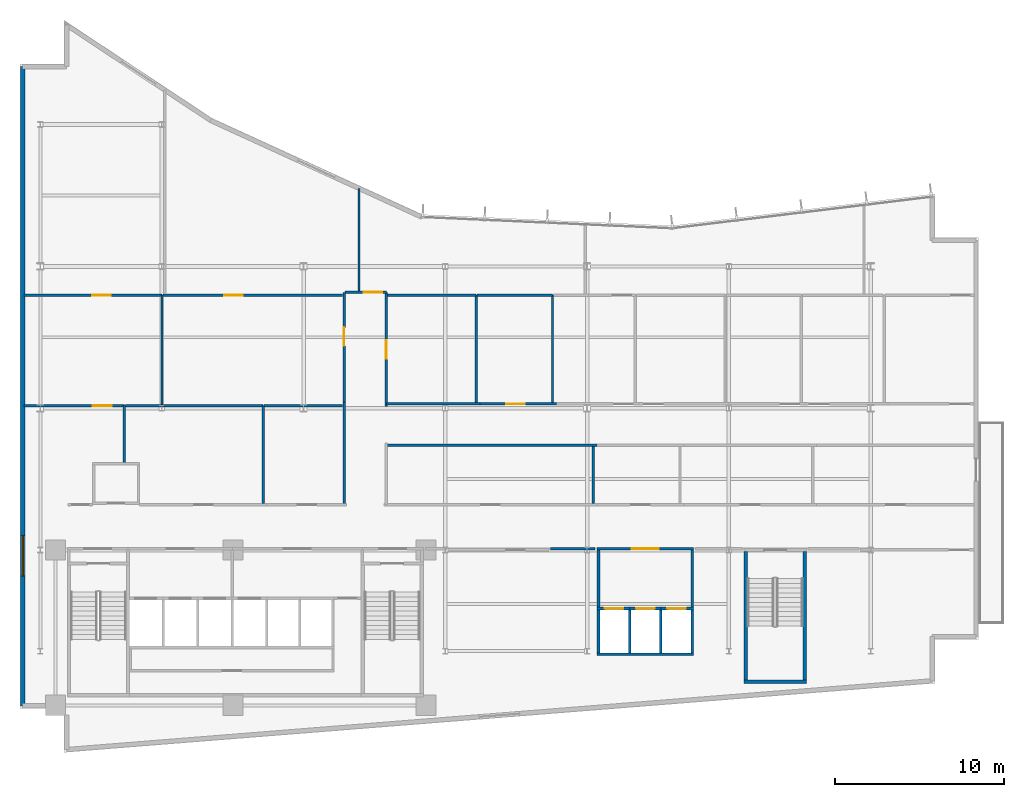
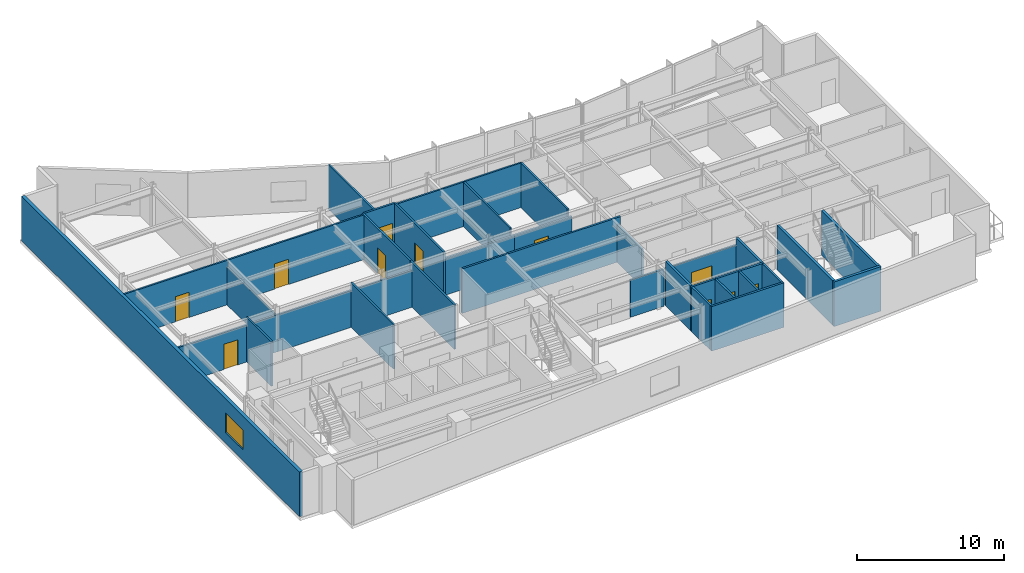
# One storey, part 10 of 17: 38 walls, 11 doors, 1 window, 12 openings.
"""IFC4 building model written with IfcOpenShell, lengths in metres."""

from ifc_helpers import new_model, si_unit, direction, frame, frame_2d, origin, place, context, subcontext, project, spatial, rectangle, extrude, material, layer, layer_set, type_object, element, fill, save


model = new_model("IFC4")

# Units and contexts
model_context = context("Model", 3, precision=1e-05, world=origin(), true_north=direction((0.0, 1.0)))
body_context = subcontext(model_context, "Body", "Model", "MODEL_VIEW")
ifc_project = project(units=[si_unit("LENGTHUNIT", "METRE"), si_unit("AREAUNIT", "SQUARE_METRE"), si_unit("VOLUMEUNIT", "CUBIC_METRE"), si_unit("PLANEANGLEUNIT", "RADIAN"), si_unit("MASSUNIT", "GRAM", prefix="KILO")], contexts=[model_context])

# Site, building, storey
site_placement = place(None, origin())
site = spatial("IfcSite", under=ifc_project, at=site_placement, CompositionType="ELEMENT")
building_placement = place(site_placement, origin())
building = spatial("IfcBuilding", under=site, at=building_placement, Name="Varnakote Quay Hospital", CompositionType="ELEMENT")
storey_placement = place(building_placement, frame((0.0, 0.0, 131.0)))
storey = spatial("IfcBuildingStorey", under=building, at=storey_placement, Name="L32", CompositionType="ELEMENT", Elevation=131.0)

# Walls
ifc_material_1 = material(Name="Fire-rated acoustic gypsum stud wall", Category="gypsum")
ifc_layer_1 = layer(ifc_material_1, 0.159912109375)
ifc_layer_set_1 = layer_set([ifc_layer_1], Name="Fire-rated acoustic gypsum stud wall")
wall_type_1 = type_object("IfcWallType", Name="WL-COMP-160", PredefinedType="PARTITIONING", material=ifc_layer_set_1)
for number, where, z_axis, x_axis, name in (
    (1, (34.27001953125, 8.610107421875, 0.0), (0.0, 0.0, 1.0), (0.0, 1.0, 0.0), "L32 Mid-Rise Lift Lobby West Wall"),
    (2, (39.830078125, 8.610107421875, 0.0), (0.0, 0.0, 1.0), (0.0, 1.0, 0.0), "L32 Mid-Rise Lift Lobby East Wall"),
):
    element("IfcWall", number, at=place(storey_placement, frame(where, z_axis=z_axis, x_axis=x_axis)), inside=storey, type_object=wall_type_1, Name=name, PredefinedType="PARTITIONING", context=body_context, shape_type="SweptSolid", body=[
        extrude(rectangle(XDim=3.389892578125, YDim=0.159912109375, at=frame_2d((1.69482421875, 0.0))), origin(), (0.0, 0.0, 1.0), 3.7099609375),
    ])

# Wall, opening, door
wall_1_placement = place(storey_placement, frame((34.18994140625, 12.080078125, 0.0), z_axis=(0.0, 0.0, 1.0), x_axis=(1.0, 0.0, 0.0)))
wall_1 = element("IfcWall", 3, at=wall_1_placement, inside=storey, type_object=wall_type_1, Name="L32 Mid-Rise Lift Lobby North Wall", PredefinedType="PARTITIONING", context=body_context, shape_type="SweptSolid", body=[
    extrude(rectangle(XDim=5.719970703125, YDim=0.159912109375, at=frame_2d((2.85986328125, 0.0))), origin(), (0.0, 0.0, 1.0), 3.0830078125),
])
opening_1_placement = place(wall_1_placement, frame((2.06005859375, 0.0, 0.0)))
opening_1 = element("IfcOpeningElement", 4, at=opening_1_placement, cuts=wall_1, Name="Opening D-PML-L32", PredefinedType="OPENING", context=body_context, shape_type="SweptSolid", body=[
    extrude(rectangle(XDim=1.60009765625, YDim=2.050048828125, at=frame_2d((0.800048828125, 1.02490234375))), frame((0.0, 0.08984375, 0.0), z_axis=(0.0, -1.0, 0.0), x_axis=(1.0, 0.0, 0.0)), (0.0, 0.0, 1.0), 0.179931640625),
])
ifc_material_2 = material(Name="Fire-rated double smoke lobby door")
door_type_1 = type_object("IfcDoorType", Name="DR-LOBBY-FD60S-1600x2150", OperationType="NOTDEFINED", PredefinedType="DOOR", material=ifc_material_2)
door_1_placement = place(opening_1_placement, origin())
door_1 = element("IfcDoor", 5, at=door_1_placement, inside=storey, type_object=door_type_1, Name="L32 Mid-Rise Passenger Concourse Vestibule Door", OperationType="DOUBLE_DOOR_SINGLE_SWING", OverallHeight=2.050048828125, OverallWidth=1.60009765625, PredefinedType="DOOR", context=body_context, shape_type="SweptSolid", body=[
    extrude(rectangle(XDim=1.60009765625, YDim=2.050048828125, at=frame_2d((0.800048828125, 1.02490234375))), frame((0.0, 0.02490234375, 0.0), z_axis=(0.0, -1.0, 0.0), x_axis=(1.0, 0.0, 0.0)), (0.0, 0.0, 1.0), 0.050048828125),
])
fill(opening_1, door_1)

# Wall
wall_2_placement = place(storey_placement, frame((31.439208984375, 12.080078125, 0.0), z_axis=(0.0, 0.0, 1.0), x_axis=(1.0, 0.0, 0.0)))
element("IfcWall", 6, at=wall_2_placement, inside=storey, type_object=wall_type_1, Name="L32 Corridor South Gap Wall", PredefinedType="PARTITIONING", context=body_context, shape_type="SweptSolid", body=[
    extrude(rectangle(XDim=2.630859375, YDim=0.159912109375, at=frame_2d((1.3154296875, 0.0))), origin(), (0.0, 0.0, 1.0), 3.0830078125),
])

# Wall, opening, window
ifc_material_3 = material(Name="Precast concrete N50 (f'c 50 MPa)", Category="concrete")
ifc_layer_2 = layer(ifc_material_3, 0.260009765625)
ifc_layer_set_2 = layer_set([ifc_layer_2], Name="Precast concrete N50 (f'c 50 MPa)")
wall_type_2 = type_object("IfcWallType", Name="WL-EXT-BRICK-260", PredefinedType="STANDARD", material=ifc_layer_set_2)
wall_3_placement = place(storey_placement, frame((0.159912109375, 40.639892578125, 0.0), z_axis=(0.0, 0.0, 1.0), x_axis=(0.0, -1.0, 0.0)))
wall_3 = element("IfcWall", 7, at=wall_3_placement, inside=storey, type_object=wall_type_2, Name="L32 Brick-Faced Precast Exterior Wall", PredefinedType="STANDARD", context=body_context, shape_type="SweptSolid", body=[
    extrude(rectangle(XDim=37.8798828125, YDim=0.260009765625, at=frame_2d((18.93994140625, 0.0))), origin(), (0.0, 0.0, 1.0), 3.7099609375),
])
opening_2_placement = place(wall_3_placement, frame((27.794921875, 0.0, 0.89990234375)))
opening_2 = element("IfcOpeningElement", 8, at=opening_2_placement, cuts=wall_3, Name="Opening WN-0141", PredefinedType="OPENING", context=body_context, shape_type="SweptSolid", body=[
    extrude(rectangle(XDim=2.39990234375, YDim=1.64990234375, at=frame_2d((1.199951171875, 0.824951171875))), frame((0.0, 0.139892578125, 0.0), z_axis=(0.0, -1.0, 0.0), x_axis=(1.0, 0.0, 0.0)), (0.0, 0.0, 1.0), 0.280029296875),
])
ifc_material_4 = material(Name="Double-glazed low-E solar glass", Category="glass")
window_type = type_object("IfcWindowType", Name="WIN-CLIN-2400x1650", PartitioningType="SINGLE_PANEL", PredefinedType="WINDOW", material=ifc_material_4)
window_placement = place(opening_2_placement, origin())
window = element("IfcWindow", 9, at=window_placement, inside=storey, type_object=window_type, Name="L32 Solar-Control Clinical Window", OverallHeight=1.64990234375, OverallWidth=2.39990234375, PartitioningType="SINGLE_PANEL", PredefinedType="WINDOW", context=body_context, shape_type="SweptSolid", body=[
    extrude(rectangle(XDim=2.39990234375, YDim=1.64990234375, at=frame_2d((1.199951171875, 0.824951171875))), frame((0.0, 0.030029296875, 0.0), z_axis=(0.0, -1.0, 0.0), x_axis=(1.0, 0.0, 0.0)), (0.0, 0.0, 1.0), 0.06005859375),
])
fill(opening_2, window)

# Walls
ifc_material_5 = material(Name="Concrete N50 (f'c 50 MPa)", Category="concrete")
ifc_layer_3 = layer(ifc_material_5, 0.14990234375)
ifc_layer_set_3 = layer_set([ifc_layer_3], Name="Concrete N50 (f'c 50 MPa)")
wall_type_3 = type_object("IfcWallType", Name="WL-SHAFT-N50-150", PredefinedType="SHEAR", material=ifc_layer_set_3)
for number, where, z_axis, x_axis, name in (
    (10, (36.125, 5.89990234375, 0.0), (0.0, 0.0, 1.0), (0.0, 1.0, 0.0), "L32 LF-PM1 Hoistway Divider Wall"),
    (11, (37.97509765625, 5.89990234375, 0.0), (0.0, 0.0, 1.0), (0.0, 1.0, 0.0), "L32 LF-PM2 Hoistway Divider Wall"),
):
    element("IfcWall", number, at=place(storey_placement, frame(where, z_axis=z_axis, x_axis=x_axis)), inside=storey, type_object=wall_type_3, Name=name, PredefinedType="SHEAR", context=body_context, shape_type="SweptSolid", body=[
        extrude(rectangle(XDim=2.550048828125, YDim=0.14990234375, at=frame_2d((1.27490234375, 0.0))), origin(), (0.0, 0.0, 1.0), 3.7099609375),
    ])
ifc_material_6 = material(Name="Concrete N50 (f'c 50 MPa)", Category="concrete")
ifc_layer_4 = layer(ifc_material_6, 0.159912109375)
ifc_layer_set_4 = layer_set([ifc_layer_4], Name="Concrete N50 (f'c 50 MPa)")
wall_type_4 = type_object("IfcWallType", Name="WL-SHAFT-N50-160", PredefinedType="SHEAR", material=ifc_layer_set_4)
wall_4_placement = place(storey_placement, frame((34.18994140625, 5.820068359375, 0.0), z_axis=(0.0, 0.0, 1.0), x_axis=(1.0, 0.0, 0.0)))
element("IfcWall", 12, at=wall_4_placement, inside=storey, type_object=wall_type_4, Name="L32 MID Lift Bank Back Shear Wall", PredefinedType="SHEAR", context=body_context, shape_type="SweptSolid", body=[
    extrude(rectangle(XDim=5.719970703125, YDim=0.159912109375, at=frame_2d((2.85986328125, 0.0))), origin(), (0.0, 0.0, 1.0), 3.7099609375),
])
for number, where, z_axis, x_axis, name in (
    (13, (34.27001953125, 5.89990234375, 0.0), (0.0, 0.0, 1.0), (0.0, 1.0, 0.0), "L32 MID Lift Bank West Shear Wall"),
    (14, (39.830078125, 5.89990234375, 0.0), (0.0, 0.0, 1.0), (0.0, 1.0, 0.0), "L32 MID Lift Bank East Shear Wall"),
):
    element("IfcWall", number, at=place(storey_placement, frame(where, z_axis=z_axis, x_axis=x_axis)), inside=storey, type_object=wall_type_4, Name=name, PredefinedType="SHEAR", context=body_context, shape_type="SweptSolid", body=[
        extrude(rectangle(XDim=2.550048828125, YDim=0.159912109375, at=frame_2d((1.27490234375, 0.0))), origin(), (0.0, 0.0, 1.0), 3.7099609375),
    ])

# Wall, opening, door
wall_5_placement = place(storey_placement, frame((34.18994140625, 8.530029296875, 0.0), z_axis=(0.0, 0.0, 1.0), x_axis=(1.0, 0.0, 0.0)))
wall_5 = element("IfcWall", 15, at=wall_5_placement, inside=storey, type_object=wall_type_4, Name="L32 LF-PM1 Hoistway Front Wall", PredefinedType="SHEAR", context=body_context, shape_type="SweptSolid", body=[
    extrude(rectangle(XDim=1.93505859375, YDim=0.159912109375, at=frame_2d((0.967529296875, 0.0))), origin(), (0.0, 0.0, 1.0), 3.7099609375),
])
opening_3_placement = place(wall_5_placement, frame((0.4599609375, 0.0, 0.0)))
opening_3 = element("IfcOpeningElement", 16, at=opening_3_placement, cuts=wall_5, Name="Opening LD-PM1-L32", PredefinedType="OPENING", context=body_context, shape_type="SweptSolid", body=[
    extrude(rectangle(XDim=1.10009765625, YDim=2.14990234375, at=frame_2d((0.550048828125, 1.074951171875))), frame((0.0, 0.08984375, 0.0), z_axis=(0.0, -1.0, 0.0), x_axis=(1.0, 0.0, 0.0)), (0.0, 0.0, 1.0), 0.179931640625),
])
ifc_material_7 = material(Name="Brushed bronze lift landing sliding door")
door_type_2 = type_object("IfcDoorType", Name="DR-LIFT-LD-1100x2150", OperationType="NOTDEFINED", PredefinedType="DOOR", material=ifc_material_7)
door_2_placement = place(opening_3_placement, origin())
door_2 = element("IfcDoor", 17, at=door_2_placement, inside=storey, type_object=door_type_2, Name="L32 LF-PM1 Lift Landing Sliding Door", OperationType="SLIDING_TO_LEFT", OverallHeight=2.14990234375, OverallWidth=1.10009765625, PredefinedType="DOOR", context=body_context, shape_type="SweptSolid", body=[
    extrude(rectangle(XDim=1.10009765625, YDim=2.14990234375, at=frame_2d((0.550048828125, 1.074951171875))), frame((0.0, 0.02490234375, 0.0), z_axis=(0.0, -1.0, 0.0), x_axis=(1.0, 0.0, 0.0)), (0.0, 0.0, 1.0), 0.050048828125),
])
fill(opening_3, door_2)

wall_6_placement = place(storey_placement, frame((36.125, 8.530029296875, 0.0), z_axis=(0.0, 0.0, 1.0), x_axis=(1.0, 0.0, 0.0)))
wall_6 = element("IfcWall", 18, at=wall_6_placement, inside=storey, type_object=wall_type_4, Name="L32 LF-PM2 Hoistway Front Wall", PredefinedType="SHEAR", context=body_context, shape_type="SweptSolid", body=[
    extrude(rectangle(XDim=1.85009765625, YDim=0.159912109375, at=frame_2d((0.925048828125, 0.0))), origin(), (0.0, 0.0, 1.0), 3.7099609375),
])
opening_4_placement = place(wall_6_placement, frame((0.375, 0.0, 0.0)))
opening_4 = element("IfcOpeningElement", 19, at=opening_4_placement, cuts=wall_6, Name="Opening LD-PM2-L32", PredefinedType="OPENING", context=body_context, shape_type="SweptSolid", body=[
    extrude(rectangle(XDim=1.10009765625, YDim=2.14990234375, at=frame_2d((0.550048828125, 1.074951171875))), frame((0.0, 0.08984375, 0.0), z_axis=(0.0, -1.0, 0.0), x_axis=(1.0, 0.0, 0.0)), (0.0, 0.0, 1.0), 0.179931640625),
])
door_3_placement = place(opening_4_placement, origin())
door_3 = element("IfcDoor", 20, at=door_3_placement, inside=storey, type_object=door_type_2, Name="L32 LF-PM2 Lift Landing Sliding Door", OperationType="SLIDING_TO_LEFT", OverallHeight=2.14990234375, OverallWidth=1.10009765625, PredefinedType="DOOR", context=body_context, shape_type="SweptSolid", body=[
    extrude(rectangle(XDim=1.10009765625, YDim=2.14990234375, at=frame_2d((0.550048828125, 1.074951171875))), frame((0.0, 0.02490234375, 0.0), z_axis=(0.0, -1.0, 0.0), x_axis=(1.0, 0.0, 0.0)), (0.0, 0.0, 1.0), 0.050048828125),
])
fill(opening_4, door_3)

wall_7_placement = place(storey_placement, frame((37.97509765625, 8.530029296875, 0.0), z_axis=(0.0, 0.0, 1.0), x_axis=(1.0, 0.0, 0.0)))
wall_7 = element("IfcWall", 21, at=wall_7_placement, inside=storey, type_object=wall_type_4, Name="L32 LF-PM3 Hoistway Front Wall", PredefinedType="SHEAR", context=body_context, shape_type="SweptSolid", body=[
    extrude(rectangle(XDim=1.934814453125, YDim=0.159912109375, at=frame_2d((0.96728515625, 0.0))), origin(), (0.0, 0.0, 1.0), 3.7099609375),
])
opening_5_placement = place(wall_7_placement, frame((0.375, 0.0, 0.0)))
opening_5 = element("IfcOpeningElement", 22, at=opening_5_placement, cuts=wall_7, Name="Opening LD-PM3-L32", PredefinedType="OPENING", context=body_context, shape_type="SweptSolid", body=[
    extrude(rectangle(XDim=1.10009765625, YDim=2.14990234375, at=frame_2d((0.550048828125, 1.074951171875))), frame((0.0, 0.08984375, 0.0), z_axis=(0.0, -1.0, 0.0), x_axis=(1.0, 0.0, 0.0)), (0.0, 0.0, 1.0), 0.179931640625),
])
door_4_placement = place(opening_5_placement, origin())
door_4 = element("IfcDoor", 23, at=door_4_placement, inside=storey, type_object=door_type_2, Name="L32 LF-PM3 Lift Landing Sliding Door", OperationType="SLIDING_TO_LEFT", OverallHeight=2.14990234375, OverallWidth=1.10009765625, PredefinedType="DOOR", context=body_context, shape_type="SweptSolid", body=[
    extrude(rectangle(XDim=1.10009765625, YDim=2.14990234375, at=frame_2d((0.550048828125, 1.074951171875))), frame((0.0, 0.02490234375, 0.0), z_axis=(0.0, -1.0, 0.0), x_axis=(1.0, 0.0, 0.0)), (0.0, 0.0, 1.0), 0.050048828125),
])
fill(opening_5, door_4)

# Walls
ifc_material_8 = material(Name="Concrete N50 (f'c 50 MPa)", Category="concrete")
ifc_layer_5 = layer(ifc_material_8, 0.199951171875)
ifc_layer_set_5 = layer_set([ifc_layer_5], Name="Concrete N50 (f'c 50 MPa)")
wall_type_5 = type_object("IfcWallType", Name="WL-SHAFT-N50-200", PredefinedType="SHEAR", material=ifc_layer_set_5)
wall_8_placement = place(storey_placement, frame((42.89990234375, 4.199951171875, 0.0), z_axis=(0.0, 0.0, 1.0), x_axis=(1.0, 0.0, 0.0)))
element("IfcWall", 24, at=wall_8_placement, inside=storey, type_object=wall_type_5, Name="L32 Stair ST3 South Shaft Wall", PredefinedType="SHEAR", context=body_context, shape_type="SweptSolid", body=[
    extrude(rectangle(XDim=3.7001953125, YDim=0.199951171875, at=frame_2d((1.85009765625, 0.0))), origin(), (0.0, 0.0, 1.0), 3.7099609375),
])
for number, where, z_axis, x_axis, name in (
    (25, (43.0, 4.300048828125, 0.0), (0.0, 0.0, 1.0), (0.0, 1.0, 0.0), "L32 Stair ST3 West Shaft Wall"),
    (26, (46.5, 4.300048828125, 0.0), (0.0, 0.0, 1.0), (0.0, 1.0, 0.0), "L32 Stair ST3 East Shaft Wall"),
):
    element("IfcWall", number, at=place(storey_placement, frame(where, z_axis=z_axis, x_axis=x_axis)), inside=storey, type_object=wall_type_5, Name=name, PredefinedType="SHEAR", context=body_context, shape_type="SweptSolid", body=[
        extrude(rectangle(XDim=7.599853515625, YDim=0.199951171875, at=frame_2d((3.7998046875, 0.0))), origin(), (0.0, 0.0, 1.0), 3.7099609375),
    ])
ifc_material_9 = material(Name="Smoke-proof clinical partition", Category="gypsum")
ifc_layer_6 = layer(ifc_material_9, 0.135009765625)
ifc_layer_set_6 = layer_set([ifc_layer_6], Name="Smoke-proof clinical partition")
wall_type_6 = type_object("IfcWallType", Name="WL-SMOKE-135", PredefinedType="PARTITIONING", material=ifc_layer_set_6)
wall_9_placement = place(storey_placement, frame((6.179931640625, 17.139892578125, 0.0), z_axis=(0.0, 0.0, 1.0), x_axis=(0.0, 1.0, 0.0)))
element("IfcWall", 27, at=wall_9_placement, inside=storey, type_object=wall_type_6, Name="L32 Clinical Interior Partition", PredefinedType="PARTITIONING", context=body_context, shape_type="SweptSolid", body=[
    extrude(rectangle(XDim=3.41015625, YDim=0.135009765625, at=frame_2d((1.705078125, 0.0))), origin(), (0.0, 0.0, 1.0), 3.7099609375),
])

# Wall, opening, door
wall_10_placement = place(storey_placement, frame((6.179931640625, 20.550048828125, 0.0), z_axis=(0.0, 0.0, 1.0), x_axis=(-1.0, 0.0, 0.0)))
wall_10 = element("IfcWall", 28, at=wall_10_placement, inside=storey, type_object=wall_type_6, Name="L32 Clinical Interior Partition", PredefinedType="PARTITIONING", context=body_context, shape_type="SweptSolid", body=[
    extrude(rectangle(XDim=5.93994140625, YDim=0.135009765625, at=frame_2d((2.969970703125, 0.0))), origin(), (0.0, 0.0, 1.0), 3.0830078125),
])
opening_6_placement = place(wall_10_placement, frame((0.7548828125, 0.0, 0.0)))
opening_6 = element("IfcOpeningElement", 29, at=opening_6_placement, cuts=wall_10, Name="Opening D-L32-MD07", PredefinedType="OPENING", context=body_context, shape_type="SweptSolid", body=[
    extrude(rectangle(XDim=1.10009765625, YDim=2.10009765625, at=frame_2d((0.550048828125, 1.050048828125))), frame((0.0, 0.077392578125, 0.0), z_axis=(0.0, -1.0, 0.0), x_axis=(1.0, 0.0, 0.0)), (0.0, 0.0, 1.0), 0.155029296875),
])
ifc_material_10 = material(Name="Acoustic timber clinical consult door", Category="wood")
door_type_3 = type_object("IfcDoorType", Name="DR-CLIN-FD30S-1100x2100", OperationType="NOTDEFINED", PredefinedType="DOOR", material=ifc_material_10)
door_5_placement = place(opening_6_placement, origin())
door_5 = element("IfcDoor", 30, at=door_5_placement, inside=storey, type_object=door_type_3, Name="L32 Ward Nutrition Pantry Door", OperationType="SINGLE_SWING_LEFT", OverallHeight=2.10009765625, OverallWidth=1.10009765625, PredefinedType="DOOR", context=body_context, shape_type="SweptSolid", body=[
    extrude(rectangle(XDim=1.10009765625, YDim=2.10009765625, at=frame_2d((0.550048828125, 1.050048828125))), frame((0.0, 0.02490234375, 0.0), z_axis=(0.0, -1.0, 0.0), x_axis=(1.0, 0.0, 0.0)), (0.0, 0.0, 1.0), 0.050048828125),
])
fill(opening_6, door_5)

# Walls
wall_11_placement = place(storey_placement, frame((14.409912109375, 14.760009765625, 0.0), z_axis=(0.0, 0.0, 1.0), x_axis=(0.0, 1.0, 0.0)))
element("IfcWall", 31, at=wall_11_placement, inside=storey, type_object=wall_type_6, Name="L32 Clinical Interior Partition", PredefinedType="PARTITIONING", context=body_context, shape_type="SweptSolid", body=[
    extrude(rectangle(XDim=5.7900390625, YDim=0.135009765625, at=frame_2d((2.89501953125, 0.0))), origin(), (0.0, 0.0, 1.0), 3.7099609375),
])
wall_12_placement = place(storey_placement, frame((8.568359375, 20.550048828125, 0.0), z_axis=(0.0, 0.0, 1.0), x_axis=(-1.0, 0.0, 0.0)))
element("IfcWall", 32, at=wall_12_placement, inside=storey, type_object=wall_type_6, Name="L32 Clinical Interior Partition", PredefinedType="PARTITIONING", context=body_context, shape_type="SweptSolid", body=[
    extrude(rectangle(XDim=2.330810546875, YDim=0.135009765625, at=frame_2d((1.16552734375, 0.0))), origin(), (0.0, 0.0, 1.0), 3.0830078125),
])
wall_13_placement = place(storey_placement, frame((14.409912109375, 20.550048828125, 0.0), z_axis=(0.0, 0.0, 1.0), x_axis=(-1.0, 0.0, 0.0)))
element("IfcWall", 33, at=wall_13_placement, inside=storey, type_object=wall_type_6, Name="L32 Clinical Interior Partition", PredefinedType="PARTITIONING", context=body_context, shape_type="SweptSolid", body=[
    extrude(rectangle(XDim=5.839599609375, YDim=0.135009765625, at=frame_2d((2.919921875, 0.0))), origin(), (0.0, 0.0, 1.0), 3.0830078125),
])
wall_14_placement = place(storey_placement, frame((19.1201171875, 20.550048828125, 0.0), z_axis=(0.0, 0.0, 1.0), x_axis=(-1.0, 0.0, 0.0)))
element("IfcWall", 34, at=wall_14_placement, inside=storey, type_object=wall_type_6, Name="L32 Clinical Interior Partition", PredefinedType="PARTITIONING", context=body_context, shape_type="SweptSolid", body=[
    extrude(rectangle(XDim=4.652587890625, YDim=0.135009765625, at=frame_2d((2.326171875, 0.0))), origin(), (0.0, 0.0, 1.0), 3.0830078125),
])
wall_15_placement = place(storey_placement, frame((33.969970703125, 14.760009765625, 0.0), z_axis=(0.0, 0.0, 1.0), x_axis=(0.0, 1.0, 0.0)))
element("IfcWall", 35, at=wall_15_placement, inside=storey, type_object=wall_type_6, Name="L32 Clinical Interior Partition", PredefinedType="PARTITIONING", context=body_context, shape_type="SweptSolid", body=[
    extrude(rectangle(XDim=3.360107421875, YDim=0.135009765625, at=frame_2d((1.68017578125, 0.0))), origin(), (0.0, 0.0, 1.0), 3.152099609375),
])
wall_16_placement = place(storey_placement, frame((8.409912109375, 20.607421875, 0.0), z_axis=(0.0, 0.0, 1.0), x_axis=(0.0, 1.0, 0.0)))
element("IfcWall", 36, at=wall_16_placement, inside=storey, type_object=wall_type_6, Name="L32 Clinical Interior Partition", PredefinedType="PARTITIONING", context=body_context, shape_type="SweptSolid", body=[
    extrude(rectangle(XDim=6.49267578125, YDim=0.135009765625, at=frame_2d((3.246337890625, 0.0))), origin(), (0.0, 0.0, 1.0), 3.152099609375),
])

# Wall, opening, door
wall_17_placement = place(storey_placement, frame((8.409912109375, 27.10009765625, 0.0), z_axis=(0.0, 0.0, 1.0), x_axis=(-1.0, 0.0, 0.0)))
wall_17 = element("IfcWall", 37, at=wall_17_placement, inside=storey, type_object=wall_type_6, Name="L32 Clinical Interior Partition", PredefinedType="PARTITIONING", context=body_context, shape_type="SweptSolid", body=[
    extrude(rectangle(XDim=8.169921875, YDim=0.135009765625, at=frame_2d((4.0849609375, 0.0))), origin(), (0.0, 0.0, 1.0), 3.7099609375),
])
opening_7_placement = place(wall_17_placement, frame((3.034912109375, 0.0, 0.0)))
opening_7 = element("IfcOpeningElement", 38, at=opening_7_placement, cuts=wall_17, Name="Opening D-L32-MD16", PredefinedType="OPENING", context=body_context, shape_type="SweptSolid", body=[
    extrude(rectangle(XDim=1.10009765625, YDim=2.10009765625, at=frame_2d((0.550048828125, 1.050048828125))), frame((0.0, 0.077392578125, 0.0), z_axis=(0.0, -1.0, 0.0), x_axis=(1.0, 0.0, 0.0)), (0.0, 0.0, 1.0), 0.155029296875),
])
door_6_placement = place(opening_7_placement, origin())
door_6 = element("IfcDoor", 39, at=door_6_placement, inside=storey, type_object=door_type_3, Name="L32 Clinical Coordinator Office Door", OperationType="SINGLE_SWING_RIGHT", OverallHeight=2.10009765625, OverallWidth=1.10009765625, PredefinedType="DOOR", context=body_context, shape_type="SweptSolid", body=[
    extrude(rectangle(XDim=1.10009765625, YDim=2.10009765625, at=frame_2d((0.550048828125, 1.050048828125))), frame((0.0, 0.02490234375, 0.0), z_axis=(0.0, -1.0, 0.0), x_axis=(1.0, 0.0, 0.0)), (0.0, 0.0, 1.0), 0.050048828125),
])
fill(opening_7, door_6)

wall_18_placement = place(storey_placement, frame((19.1201171875, 27.10009765625, 0.0), z_axis=(0.0, 0.0, 1.0), x_axis=(-1.0, 0.0, 0.0)))
wall_18 = element("IfcWall", 40, at=wall_18_placement, inside=storey, type_object=wall_type_6, Name="L32 Clinical Interior Partition", PredefinedType="PARTITIONING", context=body_context, shape_type="SweptSolid", body=[
    extrude(rectangle(XDim=10.652587890625, YDim=0.135009765625, at=frame_2d((5.326171875, 0.0))), origin(), (0.0, 0.0, 1.0), 3.7099609375),
])
opening_8_placement = place(wall_18_placement, frame((5.92041015625, 0.0, 0.0)))
opening_8 = element("IfcOpeningElement", 41, at=opening_8_placement, cuts=wall_18, Name="Opening D-L32-MD17", PredefinedType="OPENING", context=body_context, shape_type="SweptSolid", body=[
    extrude(rectangle(XDim=1.10009765625, YDim=2.10009765625, at=frame_2d((0.550048828125, 1.050048828125))), frame((0.0, 0.077392578125, 0.0), z_axis=(0.0, -1.0, 0.0), x_axis=(1.0, 0.0, 0.0)), (0.0, 0.0, 1.0), 0.155029296875),
])
door_7_placement = place(opening_8_placement, origin())
door_7 = element("IfcDoor", 42, at=door_7_placement, inside=storey, type_object=door_type_3, Name="L32 Day Procedure Treatment Suite Door", OperationType="SINGLE_SWING_LEFT", OverallHeight=2.10009765625, OverallWidth=1.10009765625, PredefinedType="DOOR", context=body_context, shape_type="SweptSolid", body=[
    extrude(rectangle(XDim=1.10009765625, YDim=2.10009765625, at=frame_2d((0.550048828125, 1.050048828125))), frame((0.0, 0.02490234375, 0.0), z_axis=(0.0, -1.0, 0.0), x_axis=(1.0, 0.0, 0.0)), (0.0, 0.0, 1.0), 0.050048828125),
])
fill(opening_8, door_7)

# Walls
wall_19_placement = place(storey_placement, frame((27.030029296875, 20.715087890625, 0.0), z_axis=(0.0, 0.0, 1.0), x_axis=(0.0, 1.0, 0.0)))
element("IfcWall", 43, at=wall_19_placement, inside=storey, type_object=wall_type_6, Name="L32 Clinical Interior Partition", PredefinedType="PARTITIONING", context=body_context, shape_type="SweptSolid", body=[
    extrude(rectangle(XDim=6.385009765625, YDim=0.135009765625, at=frame_2d((3.1923828125, 0.0))), origin(), (0.0, 0.0, 1.0), 3.7099609375),
])
wall_20_placement = place(storey_placement, frame((27.030029296875, 27.10009765625, 0.0), z_axis=(0.0, 0.0, 1.0), x_axis=(-1.0, 0.0, 0.0)))
element("IfcWall", 44, at=wall_20_placement, inside=storey, type_object=wall_type_6, Name="L32 Clinical Interior Partition", PredefinedType="PARTITIONING", context=body_context, shape_type="SweptSolid", body=[
    extrude(rectangle(XDim=5.26513671875, YDim=0.135009765625, at=frame_2d((2.632568359375, 0.0))), origin(), (0.0, 0.0, 1.0), 3.7099609375),
])
wall_21_placement = place(storey_placement, frame((31.550048828125, 20.715087890625, 0.0), z_axis=(0.0, 0.0, 1.0), x_axis=(0.0, 1.0, 0.0)))
element("IfcWall", 45, at=wall_21_placement, inside=storey, type_object=wall_type_6, Name="L32 Clinical Interior Partition", PredefinedType="PARTITIONING", context=body_context, shape_type="SweptSolid", body=[
    extrude(rectangle(XDim=6.385009765625, YDim=0.135009765625, at=frame_2d((3.1923828125, 0.0))), origin(), (0.0, 0.0, 1.0), 3.7099609375),
])
wall_22_placement = place(storey_placement, frame((31.550048828125, 27.10009765625, 0.0), z_axis=(0.0, 0.0, 1.0), x_axis=(-1.0, 0.0, 0.0)))
element("IfcWall", 46, at=wall_22_placement, inside=storey, type_object=wall_type_6, Name="L32 Clinical Interior Partition", PredefinedType="PARTITIONING", context=body_context, shape_type="SweptSolid", body=[
    extrude(rectangle(XDim=4.462646484375, YDim=0.135009765625, at=frame_2d((2.2314453125, 0.0))), origin(), (0.0, 0.0, 1.0), 3.7099609375),
])
wall_23_placement = place(storey_placement, frame((20.080078125, 27.320068359375, 0.0), z_axis=(0.0, 0.0, 1.0), x_axis=(0.0, 1.0, 0.0)))
element("IfcWall", 47, at=wall_23_placement, inside=storey, type_object=wall_type_6, Name="L32 Clinical Interior Partition", PredefinedType="PARTITIONING", context=body_context, shape_type="SweptSolid", body=[
    extrude(rectangle(XDim=6.10693359375, YDim=0.135009765625, at=frame_2d((3.053466796875, 0.0))), origin(), (0.0, 0.0, 1.0), 3.7099609375),
])
ifc_material_11 = material(Name="Fire-rated clinical gypsum partition", Category="gypsum")
ifc_layer_7 = layer(ifc_material_11, 0.14990234375)
ifc_layer_set_7 = layer_set([ifc_layer_7], Name="Fire-rated clinical gypsum partition")
wall_type_7 = type_object("IfcWallType", Name="WL-WARD-150", PredefinedType="PARTITIONING", material=ifc_layer_set_7)
wall_24_placement = place(storey_placement, frame((19.199951171875, 20.77587890625, 0.0), z_axis=(0.0, 0.0, 1.0), x_axis=(0.0, -1.0, 0.0)))
element("IfcWall", 48, at=wall_24_placement, inside=storey, type_object=wall_type_7, Name="L32 Clinical Interior Partition", PredefinedType="PARTITIONING", context=body_context, shape_type="SweptSolid", body=[
    extrude(rectangle(XDim=6.075927734375, YDim=0.14990234375, at=frame_2d((3.0380859375, 0.0))), origin(), (0.0, 0.0, 1.0), 3.7099609375),
])

# Wall, opening, door
wall_25_placement = place(storey_placement, frame((19.199951171875, 27.260009765625, 0.0), z_axis=(0.0, 0.0, 1.0), x_axis=(0.0, -1.0, 0.0)))
wall_25 = element("IfcWall", 49, at=wall_25_placement, inside=storey, type_object=wall_type_7, Name="L32 Clinical Interior Partition", PredefinedType="PARTITIONING", context=body_context, shape_type="SweptSolid", body=[
    extrude(rectangle(XDim=6.48193359375, YDim=0.14990234375, at=frame_2d((3.240966796875, 0.0))), origin(), (0.0, 0.0, 1.0), 3.7099609375),
])
opening_9_placement = place(wall_25_placement, frame((2.068359375, 0.0, 0.0)))
opening_9 = element("IfcOpeningElement", 50, at=opening_9_placement, cuts=wall_25, Name="Opening D-L32-MD08", PredefinedType="OPENING", context=body_context, shape_type="SweptSolid", body=[
    extrude(rectangle(XDim=1.10009765625, YDim=2.10009765625, at=frame_2d((0.550048828125, 1.050048828125))), frame((0.0, 0.0849609375, 0.0), z_axis=(0.0, -1.0, 0.0), x_axis=(1.0, 0.0, 0.0)), (0.0, 0.0, 1.0), 0.169921875),
])
door_8_placement = place(opening_9_placement, origin())
door_8 = element("IfcDoor", 51, at=door_8_placement, inside=storey, type_object=door_type_3, Name="L32 Clinical Coordinator Office Door", OperationType="SINGLE_SWING_RIGHT", OverallHeight=2.10009765625, OverallWidth=1.10009765625, PredefinedType="DOOR", context=body_context, shape_type="SweptSolid", body=[
    extrude(rectangle(XDim=1.10009765625, YDim=2.10009765625, at=frame_2d((0.550048828125, 1.050048828125))), frame((0.0, 0.02490234375, 0.0), z_axis=(0.0, -1.0, 0.0), x_axis=(1.0, 0.0, 0.0)), (0.0, 0.0, 1.0), 0.050048828125),
])
fill(opening_9, door_8)

wall_26_placement = place(storey_placement, frame((21.699951171875, 20.50390625, 0.0), z_axis=(0.0, 0.0, 1.0), x_axis=(0.0, 1.0, 0.0)))
wall_26 = element("IfcWall", 52, at=wall_26_placement, inside=storey, type_object=wall_type_7, Name="L32 Clinical Interior Partition", PredefinedType="PARTITIONING", context=body_context, shape_type="SweptSolid", body=[
    extrude(rectangle(XDim=6.756103515625, YDim=0.14990234375, at=frame_2d((3.3779296875, 0.0))), origin(), (0.0, 0.0, 1.0), 3.7099609375),
])
opening_10_placement = place(wall_26_placement, frame((2.827880859375, 0.0, 0.0)))
opening_10 = element("IfcOpeningElement", 53, at=opening_10_placement, cuts=wall_26, Name="Opening D-L32-MD09", PredefinedType="OPENING", context=body_context, shape_type="SweptSolid", body=[
    extrude(rectangle(XDim=1.10009765625, YDim=2.10009765625, at=frame_2d((0.550048828125, 1.050048828125))), frame((0.0, 0.0849609375, 0.0), z_axis=(0.0, -1.0, 0.0), x_axis=(1.0, 0.0, 0.0)), (0.0, 0.0, 1.0), 0.169921875),
])
door_9_placement = place(opening_10_placement, origin())
door_9 = element("IfcDoor", 54, at=door_9_placement, inside=storey, type_object=door_type_3, Name="L32 Day Procedure Treatment Suite Door", OperationType="SINGLE_SWING_LEFT", OverallHeight=2.10009765625, OverallWidth=1.10009765625, PredefinedType="DOOR", context=body_context, shape_type="SweptSolid", body=[
    extrude(rectangle(XDim=1.10009765625, YDim=2.10009765625, at=frame_2d((0.550048828125, 1.050048828125))), frame((0.0, 0.02490234375, 0.0), z_axis=(0.0, -1.0, 0.0), x_axis=(1.0, 0.0, 0.0)), (0.0, 0.0, 1.0), 0.050048828125),
])
fill(opening_10, door_9)

wall_27_placement = place(storey_placement, frame((21.699951171875, 27.260009765625, 0.0), z_axis=(0.0, 0.0, 1.0), x_axis=(-1.0, 0.0, 0.0)))
wall_27 = element("IfcWall", 55, at=wall_27_placement, inside=storey, type_object=wall_type_7, Name="L32 Clinical Interior Partition", PredefinedType="PARTITIONING", context=body_context, shape_type="SweptSolid", body=[
    extrude(rectangle(XDim=2.43505859375, YDim=0.14990234375, at=frame_2d((1.217529296875, 0.0))), origin(), (0.0, 0.0, 1.0), 3.7099609375),
])
opening_11_placement = place(wall_27_placement, frame((0.223388671875, 0.0, 0.0)))
opening_11 = element("IfcOpeningElement", 56, at=opening_11_placement, cuts=wall_27, Name="Opening D-L32-MD18", PredefinedType="OPENING", context=body_context, shape_type="SweptSolid", body=[
    extrude(rectangle(XDim=1.10009765625, YDim=2.10009765625, at=frame_2d((0.550048828125, 1.050048828125))), frame((0.0, 0.0849609375, 0.0), z_axis=(0.0, -1.0, 0.0), x_axis=(1.0, 0.0, 0.0)), (0.0, 0.0, 1.0), 0.169921875),
])
door_10_placement = place(opening_11_placement, origin())
door_10 = element("IfcDoor", 57, at=door_10_placement, inside=storey, type_object=door_type_3, Name="L32 Endoscopy Infusion Treatment Suite Door", OperationType="SINGLE_SWING_RIGHT", OverallHeight=2.10009765625, OverallWidth=1.10009765625, PredefinedType="DOOR", context=body_context, shape_type="SweptSolid", body=[
    extrude(rectangle(XDim=1.10009765625, YDim=2.10009765625, at=frame_2d((0.550048828125, 1.050048828125))), frame((0.0, 0.02490234375, 0.0), z_axis=(0.0, -1.0, 0.0), x_axis=(1.0, 0.0, 0.0)), (0.0, 0.0, 1.0), 0.050048828125),
])
fill(opening_11, door_10)

# Walls
wall_28_placement = place(storey_placement, frame((21.719970703125, 18.199951171875, 0.0), z_axis=(0.0, 0.0, 1.0), x_axis=(1.0, 0.0, 0.0)))
element("IfcWall", 58, at=wall_28_placement, inside=storey, type_object=wall_type_7, Name="L32 Clinical Interior Partition", PredefinedType="PARTITIONING", context=body_context, shape_type="SweptSolid", body=[
    extrude(rectangle(XDim=12.47607421875, YDim=0.14990234375, at=frame_2d((6.238037109375, 0.0))), origin(), (0.0, 0.0, 1.0), 3.7099609375),
])
wall_29_placement = place(storey_placement, frame((27.256103515625, 20.64990234375, 0.0), z_axis=(0.0, 0.0, 1.0), x_axis=(-1.0, 0.0, 0.0)))
element("IfcWall", 59, at=wall_29_placement, inside=storey, type_object=wall_type_7, Name="L32 Clinical Interior Partition", PredefinedType="PARTITIONING", context=body_context, shape_type="SweptSolid", body=[
    extrude(rectangle(XDim=5.5361328125, YDim=0.14990234375, at=frame_2d((2.76806640625, 0.0))), origin(), (0.0, 0.0, 1.0), 3.0830078125),
])

# Wall, opening, door
wall_30_placement = place(storey_placement, frame((31.77587890625, 20.64990234375, 0.0), z_axis=(0.0, 0.0, 1.0), x_axis=(-1.0, 0.0, 0.0)))
wall_30 = element("IfcWall", 60, at=wall_30_placement, inside=storey, type_object=wall_type_7, Name="L32 Clinical Interior Partition", PredefinedType="PARTITIONING", context=body_context, shape_type="SweptSolid", body=[
    extrude(rectangle(XDim=4.517822265625, YDim=0.14990234375, at=frame_2d((2.2587890625, 0.0))), origin(), (0.0, 0.0, 1.0), 3.0830078125),
])
opening_12_placement = place(wall_30_placement, frame((1.85986328125, 0.0, 0.0)))
opening_12 = element("IfcOpeningElement", 61, at=opening_12_placement, cuts=wall_30, Name="Opening D-L32-MD10", PredefinedType="OPENING", context=body_context, shape_type="SweptSolid", body=[
    extrude(rectangle(XDim=1.10009765625, YDim=2.10009765625, at=frame_2d((0.550048828125, 1.050048828125))), frame((0.0, 0.0849609375, 0.0), z_axis=(0.0, -1.0, 0.0), x_axis=(1.0, 0.0, 0.0)), (0.0, 0.0, 1.0), 0.169921875),
])
door_11_placement = place(opening_12_placement, origin())
door_11 = element("IfcDoor", 62, at=door_11_placement, inside=storey, type_object=door_type_3, Name="L32 Endoscopy Infusion Treatment Suite Door", OperationType="SINGLE_SWING_LEFT", OverallHeight=2.10009765625, OverallWidth=1.10009765625, PredefinedType="DOOR", context=body_context, shape_type="SweptSolid", body=[
    extrude(rectangle(XDim=1.10009765625, YDim=2.10009765625, at=frame_2d((0.550048828125, 1.050048828125))), frame((0.0, 0.02490234375, 0.0), z_axis=(0.0, -1.0, 0.0), x_axis=(1.0, 0.0, 0.0)), (0.0, 0.0, 1.0), 0.050048828125),
])
fill(opening_12, door_11)

save(model, "model.ifc")
